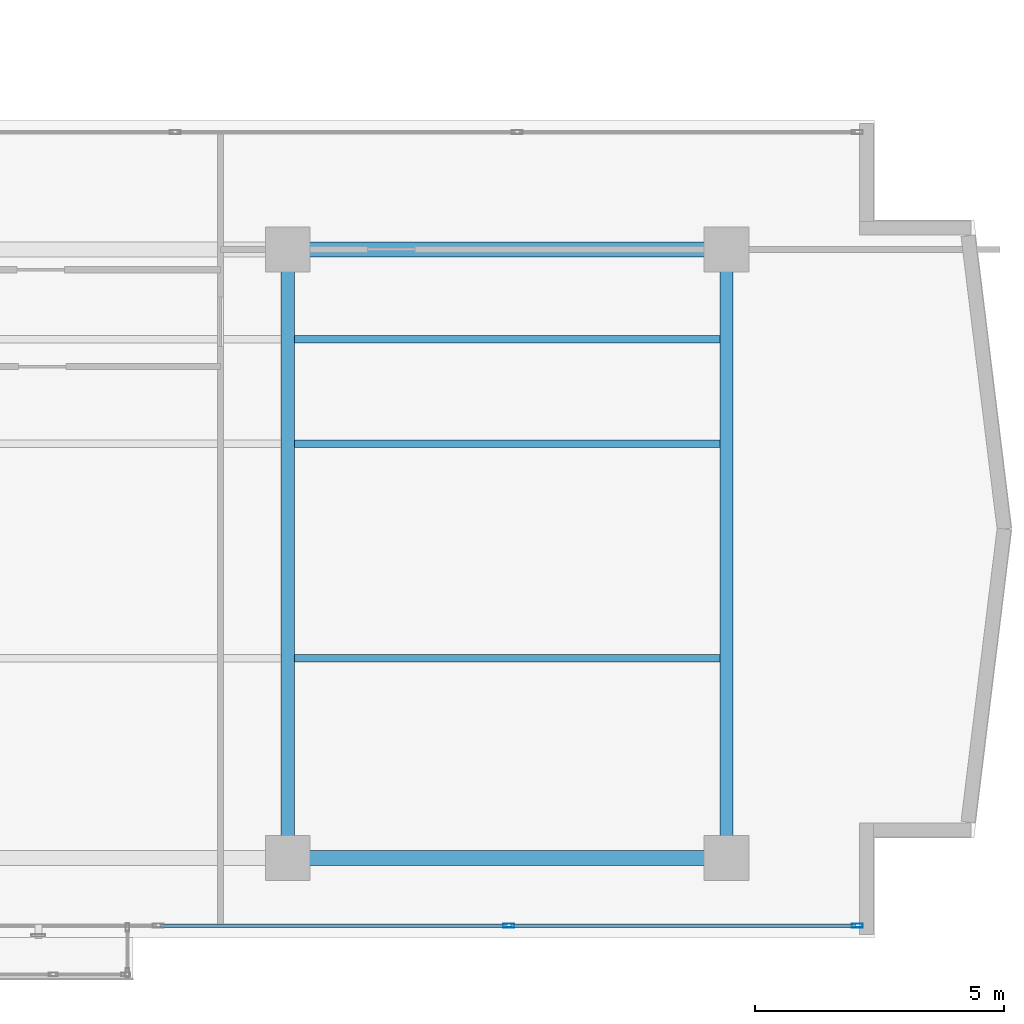
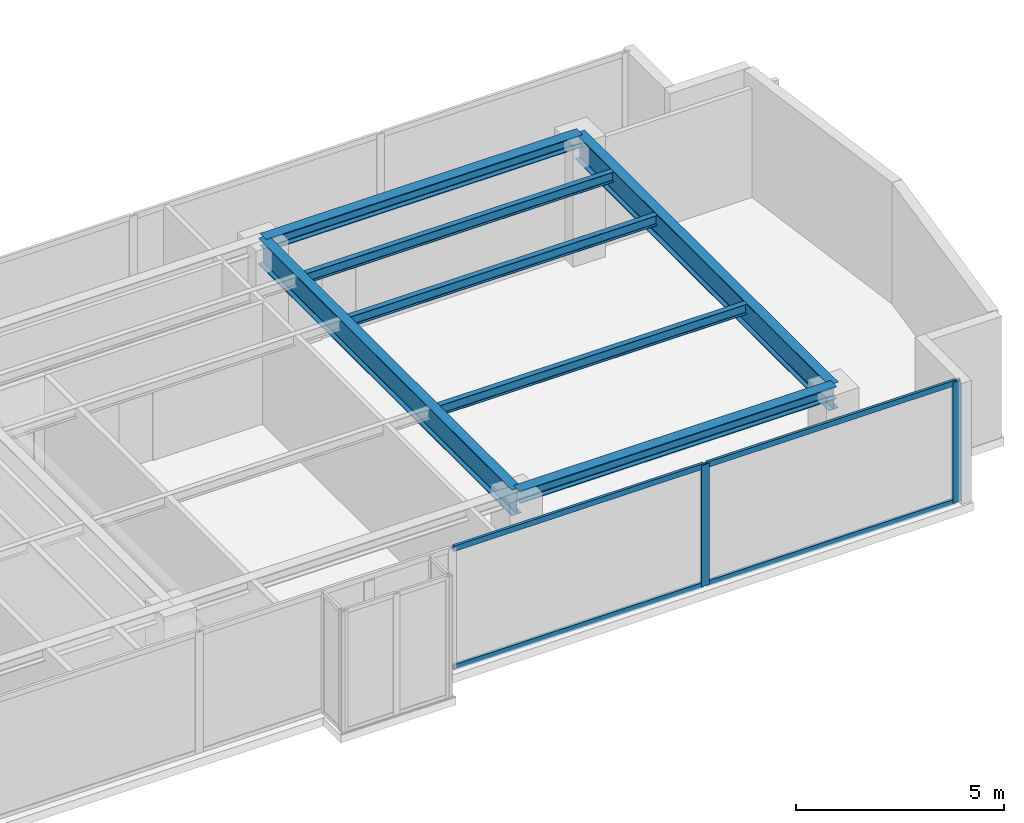
# One storey, part 11 of 22: 7 beams, 6 members, 1 element without a shape of its own.
"""IFC4 building model written with IfcOpenShell, lengths in metres."""

from ifc_helpers import new_model, si_unit, direction, frame, origin, origin_with_axes, origin_2d, place, context, subcontext, project, spatial, hollow_rectangle, i_section, extrude, source, transform, mapped, material, layer, layer_set, material_profile, profile_set, type_object, element, aggregate, save


model = new_model("IFC4")

# Units and contexts
model_context = context("Model", 3, precision=1e-05, world=origin(), true_north=direction((0.0, 1.0)))
body_context = subcontext(model_context, "Body", "Model", "MODEL_VIEW")
ifc_project = project(units=[si_unit("LENGTHUNIT", "METRE"), si_unit("AREAUNIT", "SQUARE_METRE"), si_unit("VOLUMEUNIT", "CUBIC_METRE"), si_unit("PLANEANGLEUNIT", "RADIAN"), si_unit("MASSUNIT", "GRAM", prefix="KILO")], contexts=[model_context])

# Site, building, storey
site_placement = place(None, origin())
site = spatial("IfcSite", under=ifc_project, at=site_placement, CompositionType="ELEMENT")
building_placement = place(site_placement, origin())
building = spatial("IfcBuilding", under=site, at=building_placement, Name="Kolvaren Waterfront Exchange", CompositionType="ELEMENT")
storey_placement = place(building_placement, frame((0.0, 0.0, 266.60009765625)))
storey = spatial("IfcBuildingStorey", under=building, at=storey_placement, Name="L68", CompositionType="ELEMENT", Elevation=266.60009765625)

# Beams
ifc_material_1 = material(Name="Steel S355", Category="steel")
ifc_material_profile_1 = material_profile(ifc_material_1, i_section(OverallWidth=0.300048828125, OverallDepth=0.360107421875, WebThickness=0.012451171875, FlangeThickness=0.0224609375, FilletRadius=0.027099609375, at=origin_2d()), Name="HEB360")
ifc_profile_set_1 = profile_set([ifc_material_profile_1], Name="Steel S355")
beam_type_1 = type_object("IfcBeamType", Name="STR-BM-HEB360", PredefinedType="SPANDREL", material=ifc_profile_set_1)
for number, where, z_axis, x_axis, name in (
    (1, (36.800048828125, 5.199951171875, 3.3798828125), (1.0, 0.0, 0.0), (0.0, 1.0, 0.0), "L68 east-arm spandrel S3"),
    (2, (36.800048828125, 17.39990234375, 3.3798828125), (1.0, 0.0, 0.0), (0.0, 1.0, 0.0), "L68 east-arm spandrel N3"),
):
    element("IfcBeam", number, at=place(storey_placement, frame(where, z_axis=z_axis, x_axis=x_axis)), inside=storey, type_object=beam_type_1, Name=name, PredefinedType="SPANDREL", context=body_context, shape_type="SweptSolid", body=[
        extrude(i_section(OverallWidth=0.300048828125, OverallDepth=0.360107421875, WebThickness=0.012451171875, FlangeThickness=0.0224609375, FilletRadius=0.027099609375, at=origin_2d()), origin(), (0.0, 0.0, 1.0), 8.800048828125),
    ])
ifc_material_profile_2 = material_profile(ifc_material_1, i_section(OverallWidth=0.14990234375, OverallDepth=0.300048828125, WebThickness=0.007080078125, FlangeThickness=0.0107421875, FilletRadius=0.014892578125, at=origin_2d()), Name="IPE300")
ifc_profile_set_2 = profile_set([ifc_material_profile_2], Name="Steel S355")
beam_type_2 = type_object("IfcBeamType", Name="STR-BM-IPE300", PredefinedType="JOIST", material=ifc_profile_set_2)
for number, where, z_axis, x_axis, name in (
    (3, (36.935546875, 13.5, 3.409912109375), (1.0, 0.0, 0.0), (0.0, 1.0, 0.0), "L68 east-arm composite joist 3A"),
    (4, (36.935546875, 15.60009765625, 3.409912109375), (1.0, 0.0, 0.0), (0.0, 1.0, 0.0), "L68 east-arm composite joist 3C"),
    (5, (36.935546875, 9.199951171875, 3.409912109375), (1.0, 0.0, 0.0), (0.0, 1.0, 0.0), "L68 east-arm composite joist 3B"),
):
    element("IfcBeam", number, at=place(storey_placement, frame(where, z_axis=z_axis, x_axis=x_axis)), inside=storey, type_object=beam_type_2, Name=name, PredefinedType="JOIST", context=body_context, shape_type="SweptSolid", body=[
        extrude(i_section(OverallWidth=0.14990234375, OverallDepth=0.300048828125, WebThickness=0.007080078125, FlangeThickness=0.0107421875, FilletRadius=0.014892578125, at=origin_2d()), origin(), (0.0, 0.0, 1.0), 8.529052734375),
    ])
ifc_material_profile_3 = material_profile(ifc_material_1, i_section(OverallWidth=0.26708984375, OverallDepth=0.761962890625, WebThickness=0.014404296875, FlangeThickness=0.021484375, FilletRadius=0.01708984375, at=origin_2d()), Name="IPE750x173")
ifc_profile_set_3 = profile_set([ifc_material_profile_3], Name="Steel S355")
beam_type_3 = type_object("IfcBeamType", Name="STR-BM-IPE750", PredefinedType="BEAM", material=ifc_profile_set_3)
for number, where, z_axis, x_axis, name in (
    (6, (36.800048828125, 5.199951171875, 3.178955078125), (0.0, 1.0, 0.0), (-1.0, 0.0, 0.0), "L68 east-arm transverse girder X36"),
    (7, (45.60009765625, 5.199951171875, 3.178955078125), (0.0, 1.0, 0.0), (-1.0, 0.0, 0.0), "L68 east-arm transverse girder X45"),
):
    element("IfcBeam", number, at=place(storey_placement, frame(where, z_axis=z_axis, x_axis=x_axis)), inside=storey, type_object=beam_type_3, Name=name, PredefinedType="BEAM", context=body_context, shape_type="SweptSolid", body=[
        extrude(i_section(OverallWidth=0.26708984375, OverallDepth=0.761962890625, WebThickness=0.014404296875, FlangeThickness=0.021484375, FilletRadius=0.01708984375, at=origin_2d()), origin(), (0.0, 0.0, 1.0), 12.199951171875),
    ])

# Curtain wall, members
ifc_material_2 = material(Name="Anodised bronze aluminium 6063-T6", Category="aluminium")
ifc_layer = layer(ifc_material_2, 0.219970703125, Name="Anodised bronze aluminium 6063-T6")
ifc_layer_set = layer_set([ifc_layer], Name="Anodised bronze aluminium 6063-T6")
curtain_wall_type = type_object("IfcCurtainWallType", Name="ARC-CW-SYS1", PredefinedType="USERDEFINED", material=ifc_layer_set)
curtain_wall_placement = place(storey_placement, origin())
curtain_wall = element("IfcCurtainWall", 8, at=curtain_wall_placement, inside=storey, type_object=curtain_wall_type, Name="L68 stick curtain wall CW1 (CW-L68-S)", ObjectType="STICK CURTAIN WALL", PredefinedType="USERDEFINED")
ifc_material_3 = material(Name="Anodised aluminium 6063-T6", Category="aluminium")
ifc_material_profile_4 = material_profile(ifc_material_3, hollow_rectangle(XDim=0.080078125, YDim=0.219970703125, WallThickness=0.0048828125, at=origin_2d()), Name="ALU-MUL-220x80x5")
ifc_profile_set_4 = profile_set([ifc_material_profile_4], Name="Anodised aluminium 6063-T6")
member_type_1 = type_object("IfcMemberType", Name="ARC-CWM-220", PredefinedType="MULLION", material=ifc_profile_set_4)
shared_shape_1 = source(origin_with_axes(), body_context, "Body", "SweptSolid", [
    extrude(hollow_rectangle(XDim=0.080078125, YDim=0.219970703125, WallThickness=0.0048828125, at=origin_2d()), origin(), (0.0, 0.0, 1.0), 3.559814453125),
])
member_1_placement = place(storey_placement, frame((41.236083984375, 3.840087890625, 0.0), z_axis=(0.0, 0.0, 1.0), x_axis=(0.0, 1.0, 0.0)))
member_1 = element("IfcMember", 9, at=member_1_placement, type_object=member_type_1, Name="CW1 mullion 6", PredefinedType="MULLION", context=body_context, shape_type="MappedRepresentation", body=[
    mapped(shared_shape_1, transform((0.0, 0.0, 0.0), x_axis=(1.0, 0.0, 0.0), y_axis=(0.0, 1.0, 0.0), z_axis=(0.0, 0.0, 1.0), scale=1.0)),
])
member_2_placement = place(storey_placement, frame((48.22314453125, 3.840087890625, 0.0), z_axis=(0.0, 0.0, 1.0), x_axis=(0.0, 1.0, 0.0)))
member_2 = element("IfcMember", 10, at=member_2_placement, type_object=member_type_1, Name="CW1 mullion 7", PredefinedType="MULLION", context=body_context, shape_type="MappedRepresentation", body=[
    mapped(shared_shape_1, transform((0.0, 0.0, 0.0), x_axis=(1.0, 0.0, 0.0), y_axis=(0.0, 1.0, 0.0), z_axis=(0.0, 0.0, 1.0), scale=1.0)),
])
ifc_material_profile_5 = material_profile(ifc_material_3, hollow_rectangle(XDim=0.074951171875, YDim=0.159912109375, WallThickness=0.00439453125, at=origin_2d()), Name="ALU-TRN-160x75x4.5")
ifc_profile_set_5 = profile_set([ifc_material_profile_5], Name="Anodised aluminium 6063-T6")
member_type_2 = type_object("IfcMemberType", Name="ARC-CWT-160", PredefinedType="USERDEFINED", material=ifc_profile_set_5)
shared_shape_2 = source(origin_with_axes(), body_context, "Body", "SweptSolid", [
    extrude(hollow_rectangle(XDim=0.074951171875, YDim=0.159912109375, WallThickness=0.00439453125, at=origin_2d()), origin(), (0.0, 0.0, 1.0), 6.9072265625),
])
member_3_placement = place(storey_placement, frame((41.27587890625, 3.840087890625, 0.037353515625), z_axis=(1.0, 0.0, 0.0), x_axis=(0.0, 1.0, 0.0)))
member_3 = element("IfcMember", 11, at=member_3_placement, type_object=member_type_2, Name="CW1 transom 6.1", ObjectType="TRANSOM", PredefinedType="USERDEFINED", context=body_context, shape_type="MappedRepresentation", body=[
    mapped(shared_shape_2, transform((0.0, 0.0, 0.0), x_axis=(1.0, 0.0, 0.0), y_axis=(0.0, 1.0, 0.0), z_axis=(0.0, 0.0, 1.0), scale=1.0)),
])
member_4_placement = place(storey_placement, frame((41.27587890625, 3.840087890625, 3.5224609375), z_axis=(1.0, 0.0, 0.0), x_axis=(0.0, 1.0, 0.0)))
member_4 = element("IfcMember", 12, at=member_4_placement, type_object=member_type_2, Name="CW1 transom 6.2", ObjectType="TRANSOM", PredefinedType="USERDEFINED", context=body_context, shape_type="MappedRepresentation", body=[
    mapped(shared_shape_2, transform((0.0, 0.0, 0.0), x_axis=(1.0, 0.0, 0.0), y_axis=(0.0, 1.0, 0.0), z_axis=(0.0, 0.0, 1.0), scale=1.0)),
])
shared_shape_3 = source(origin_with_axes(), body_context, "Body", "SweptSolid", [
    extrude(hollow_rectangle(XDim=0.074951171875, YDim=0.159912109375, WallThickness=0.00439453125, at=origin_2d()), origin(), (0.0, 0.0, 1.0), 6.947265625),
])
member_5_placement = place(storey_placement, frame((34.248779296875, 3.840087890625, 0.037353515625), z_axis=(1.0, 0.0, 0.0), x_axis=(0.0, 1.0, 0.0)))
member_5 = element("IfcMember", 13, at=member_5_placement, type_object=member_type_2, Name="CW1 transom 5.1", ObjectType="TRANSOM", PredefinedType="USERDEFINED", context=body_context, shape_type="MappedRepresentation", body=[
    mapped(shared_shape_3, transform((0.0, 0.0, 0.0), x_axis=(1.0, 0.0, 0.0), y_axis=(0.0, 1.0, 0.0), z_axis=(0.0, 0.0, 1.0), scale=1.0)),
])
member_6_placement = place(storey_placement, frame((34.248779296875, 3.840087890625, 3.5224609375), z_axis=(1.0, 0.0, 0.0), x_axis=(0.0, 1.0, 0.0)))
member_6 = element("IfcMember", 14, at=member_6_placement, type_object=member_type_2, Name="CW1 transom 5.2", ObjectType="TRANSOM", PredefinedType="USERDEFINED", context=body_context, shape_type="MappedRepresentation", body=[
    mapped(shared_shape_3, transform((0.0, 0.0, 0.0), x_axis=(1.0, 0.0, 0.0), y_axis=(0.0, 1.0, 0.0), z_axis=(0.0, 0.0, 1.0), scale=1.0)),
])
aggregate(curtain_wall, [member_1, member_2, member_5, member_6, member_3, member_4])

save(model, "model.ifc")
